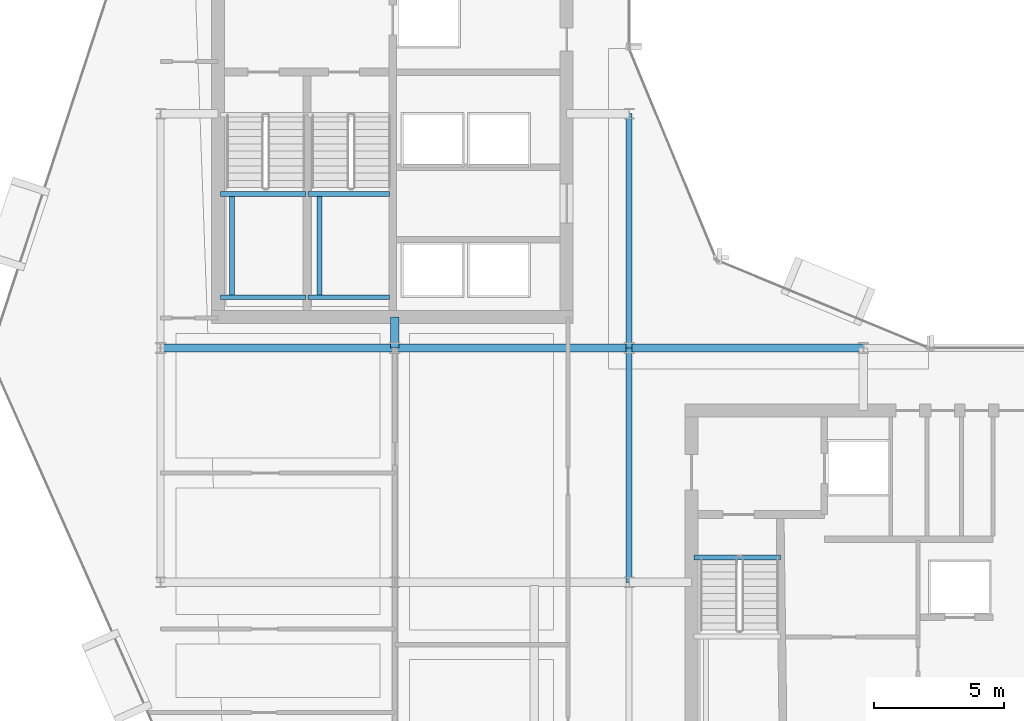
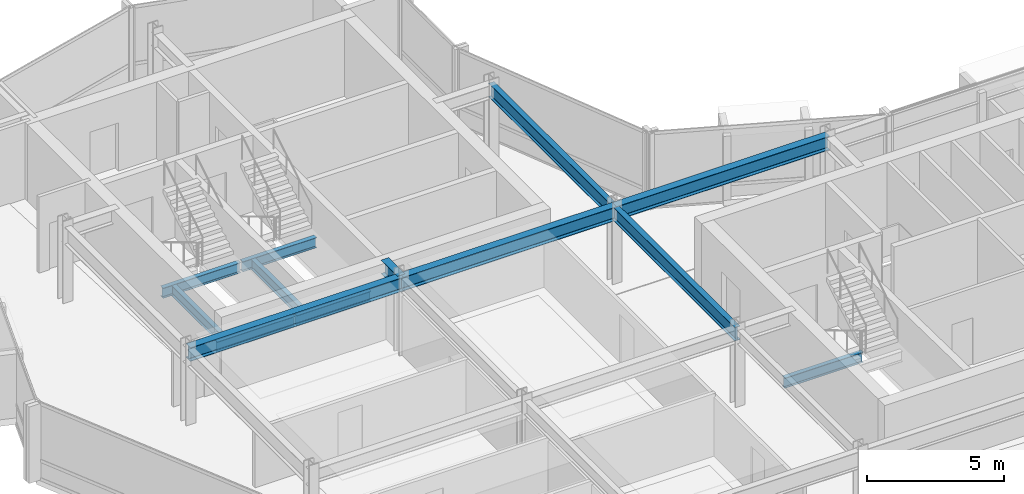
# One storey, part 7 of 27: 13 beams.
"""IFC4 building model written with IfcOpenShell, lengths in metres."""

from ifc_helpers import new_model, si_unit, direction, frame, origin, origin_2d, place, context, subcontext, project, spatial, i_section, extrude, material, material_profile, profile_set, type_object, element, save


model = new_model("IFC4")

# Units and contexts
model_context = context("Model", 3, precision=1e-05, world=origin(), true_north=direction((0.0, 1.0)))
body_context = subcontext(model_context, "Body", "Model", "MODEL_VIEW")
ifc_project = project(units=[si_unit("LENGTHUNIT", "METRE"), si_unit("AREAUNIT", "SQUARE_METRE"), si_unit("VOLUMEUNIT", "CUBIC_METRE"), si_unit("PLANEANGLEUNIT", "RADIAN"), si_unit("MASSUNIT", "GRAM", prefix="KILO")], contexts=[model_context])

# Site, building, storey
site_placement = place(None, origin())
site = spatial("IfcSite", under=ifc_project, at=site_placement, CompositionType="ELEMENT")
building_placement = place(site_placement, origin())
building = spatial("IfcBuilding", under=site, at=building_placement, Name="Solvaryn Broadcast Tower", CompositionType="ELEMENT")
storey_placement = place(building_placement, frame((0.0, 0.0, 181.60009765625)))
storey = spatial("IfcBuildingStorey", under=building, at=storey_placement, Name="L45", CompositionType="ELEMENT", Elevation=181.60009765625)

# Beams
ifc_material_1 = material(Name="Steel ASTM A992 Grade 50", Category="steel")
ifc_material_profile_1 = material_profile(ifc_material_1, i_section(OverallWidth=0.323974609375, OverallDepth=0.611083984375, WebThickness=0.0126953125, FlangeThickness=0.01904296875, FilletRadius=0.014892578125, at=origin_2d()))
ifc_profile_set_1 = profile_set([ifc_material_profile_1], Name="Steel ASTM A992 Grade 50")
beam_type_1 = type_object("IfcBeamType", Name="BM-B1-W24X104", PredefinedType="BEAM", material=ifc_profile_set_1)
for number, where, z_axis, x_axis, name in (
    (1, (9.0, 27.0, 3.114501953125), (1.0, 0.0, 0.0), (0.0, 1.0, 0.0), "L45 Primary Beam X (9-18 @ Y=27)"),
    (2, (18.0, 27.0, 3.114501953125), (1.0, 0.0, 0.0), (0.0, 1.0, 0.0), "L45 Primary Beam X (18-27 @ Y=27)"),
    (3, (27.0, 27.0, 3.114501953125), (1.0, 0.0, 0.0), (0.0, 1.0, 0.0), "L45 Primary Beam X (27-36 @ Y=27)"),
):
    element("IfcBeam", number, at=place(storey_placement, frame(where, z_axis=z_axis, x_axis=x_axis)), inside=storey, type_object=beam_type_1, Name=name, PredefinedType="BEAM", context=body_context, shape_type="SweptSolid", body=[
        extrude(i_section(OverallWidth=0.323974609375, OverallDepth=0.611083984375, WebThickness=0.0126953125, FlangeThickness=0.01904296875, FilletRadius=0.014892578125, at=origin_2d()), origin(), (0.0, 0.0, 1.0), 9.0),
    ])
beam_1_placement = place(storey_placement, frame((18.0, 27.0, 3.114501953125), z_axis=(0.0, 1.0, 0.0), x_axis=(-1.0, 0.0, 0.0)))
element("IfcBeam", 4, at=beam_1_placement, inside=storey, type_object=beam_type_1, Name="L45 Core Tie Beam CTW4", PredefinedType="BEAM", context=body_context, shape_type="SweptSolid", body=[
    extrude(i_section(OverallWidth=0.323974609375, OverallDepth=0.611083984375, WebThickness=0.0126953125, FlangeThickness=0.01904296875, FilletRadius=0.014892578125, at=origin_2d()), origin(), (0.0, 0.0, 1.0), 1.199951171875),
])
ifc_material_2 = material(Name="Steel ASTM A992 Grade 50", Category="steel")
ifc_material_profile_2 = material_profile(ifc_material_2, i_section(OverallWidth=0.22802734375, OverallDepth=0.60791015625, WebThickness=0.01123046875, FlangeThickness=0.017333984375, FilletRadius=0.014892578125, at=origin_2d()))
ifc_profile_set_2 = profile_set([ifc_material_profile_2], Name="Steel ASTM A992 Grade 50")
beam_type_2 = type_object("IfcBeamType", Name="BM-B2-W24X76", PredefinedType="BEAM", material=ifc_profile_set_2)
for number, where, z_axis, x_axis, name in (
    (5, (27.0, 18.0, 3.115966796875), (0.0, 1.0, 0.0), (-1.0, 0.0, 0.0), "L45 Primary Beam Y (18-27 @ X=27)"),
    (6, (27.0, 27.0, 3.115966796875), (0.0, 1.0, 0.0), (-1.0, 0.0, 0.0), "L45 Primary Beam Y (27-36 @ X=27)"),
):
    element("IfcBeam", number, at=place(storey_placement, frame(where, z_axis=z_axis, x_axis=x_axis)), inside=storey, type_object=beam_type_2, Name=name, PredefinedType="BEAM", context=body_context, shape_type="SweptSolid", body=[
        extrude(i_section(OverallWidth=0.22802734375, OverallDepth=0.60791015625, WebThickness=0.01123046875, FlangeThickness=0.017333984375, FilletRadius=0.014892578125, at=origin_2d()), origin(), (0.0, 0.0, 1.0), 9.0),
    ])
ifc_material_3 = material(Name="Steel ASTM A992 Grade 50", Category="steel")
ifc_material_profile_3 = material_profile(ifc_material_3, i_section(OverallWidth=0.18994140625, OverallDepth=0.45703125, WebThickness=0.009033203125, FlangeThickness=0.014404296875, FilletRadius=0.011962890625, at=origin_2d()))
ifc_profile_set_3 = profile_set([ifc_material_profile_3], Name="Steel ASTM A992 Grade 50")
beam_type_3 = type_object("IfcBeamType", Name="BM-B4-W18X50", PredefinedType="BEAM", material=ifc_profile_set_3)
for number, where, z_axis, x_axis, name in (
    (7, (11.300048828125, 28.949951171875, 1.42138671875), (1.0, 0.0, 0.0), (0.0, 1.0, 0.0), "L45 ST1 Landing Support Beam 1A"),
    (8, (11.300048828125, 32.909912109375, 1.42138671875), (1.0, 0.0, 0.0), (0.0, 1.0, 0.0), "L45 ST1 Landing Support Beam 1B"),
):
    element("IfcBeam", number, at=place(storey_placement, frame(where, z_axis=z_axis, x_axis=x_axis)), inside=storey, type_object=beam_type_3, Name=name, PredefinedType="BEAM", context=body_context, shape_type="SweptSolid", body=[
        extrude(i_section(OverallWidth=0.18994140625, OverallDepth=0.45703125, WebThickness=0.009033203125, FlangeThickness=0.014404296875, FilletRadius=0.011962890625, at=origin_2d()), origin(), (0.0, 0.0, 1.0), 3.280029296875),
    ])
beam_2_placement = place(storey_placement, frame((11.75, 28.949951171875, 1.42138671875), z_axis=(0.0, 1.0, 0.0), x_axis=(-1.0, 0.0, 0.0)))
element("IfcBeam", 9, at=beam_2_placement, inside=storey, type_object=beam_type_3, Name="L45 ST1 Landing Cross Stringer 1C", PredefinedType="BEAM", context=body_context, shape_type="SweptSolid", body=[
    extrude(i_section(OverallWidth=0.18994140625, OverallDepth=0.45703125, WebThickness=0.009033203125, FlangeThickness=0.014404296875, FilletRadius=0.011962890625, at=origin_2d()), origin(), (0.0, 0.0, 1.0), 3.9599609375),
])
for number, where, z_axis, x_axis, name in (
    (10, (14.659912109375, 28.949951171875, 1.42138671875), (1.0, 0.0, 0.0), (0.0, 1.0, 0.0), "L45 ST2 Landing Support Beam 1A"),
    (11, (14.659912109375, 32.909912109375, 1.42138671875), (1.0, 0.0, 0.0), (0.0, 1.0, 0.0), "L45 ST2 Landing Support Beam 1B"),
):
    element("IfcBeam", number, at=place(storey_placement, frame(where, z_axis=z_axis, x_axis=x_axis)), inside=storey, type_object=beam_type_3, Name=name, PredefinedType="BEAM", context=body_context, shape_type="SweptSolid", body=[
        extrude(i_section(OverallWidth=0.18994140625, OverallDepth=0.45703125, WebThickness=0.009033203125, FlangeThickness=0.014404296875, FilletRadius=0.011962890625, at=origin_2d()), origin(), (0.0, 0.0, 1.0), 3.14013671875),
    ])
beam_3_placement = place(storey_placement, frame((15.110107421875, 28.949951171875, 1.42138671875), z_axis=(0.0, 1.0, 0.0), x_axis=(-1.0, 0.0, 0.0)))
element("IfcBeam", 12, at=beam_3_placement, inside=storey, type_object=beam_type_3, Name="L45 ST2 Landing Cross Stringer 1C", PredefinedType="BEAM", context=body_context, shape_type="SweptSolid", body=[
    extrude(i_section(OverallWidth=0.18994140625, OverallDepth=0.45703125, WebThickness=0.009033203125, FlangeThickness=0.014404296875, FilletRadius=0.011962890625, at=origin_2d()), origin(), (0.0, 0.0, 1.0), 3.9599609375),
])
beam_4_placement = place(storey_placement, frame((29.5, 18.9599609375, -0.508544921875), z_axis=(1.0, 0.0, 0.0), x_axis=(0.0, 1.0, 0.0)))
element("IfcBeam", 13, at=beam_4_placement, inside=storey, type_object=beam_type_3, Name="L45 ST3 Stair Well Trimmer Beam", PredefinedType="BEAM", context=body_context, shape_type="SweptSolid", body=[
    extrude(i_section(OverallWidth=0.18994140625, OverallDepth=0.45703125, WebThickness=0.009033203125, FlangeThickness=0.014404296875, FilletRadius=0.011962890625, at=origin_2d()), origin(), (0.0, 0.0, 1.0), 3.320068359375),
])

save(model, "model.ifc")
